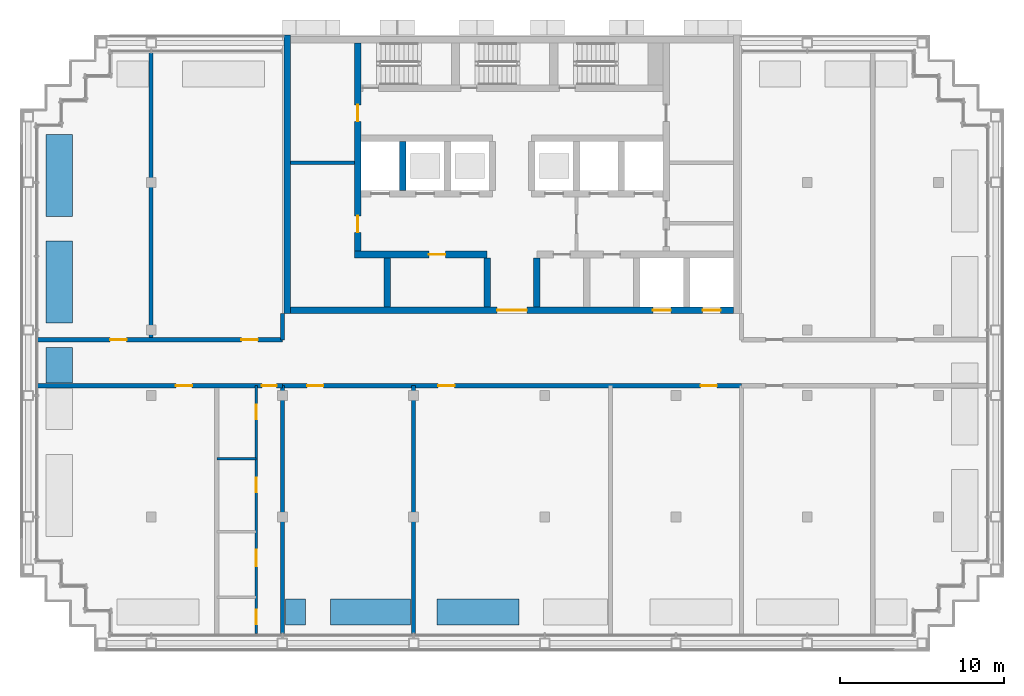
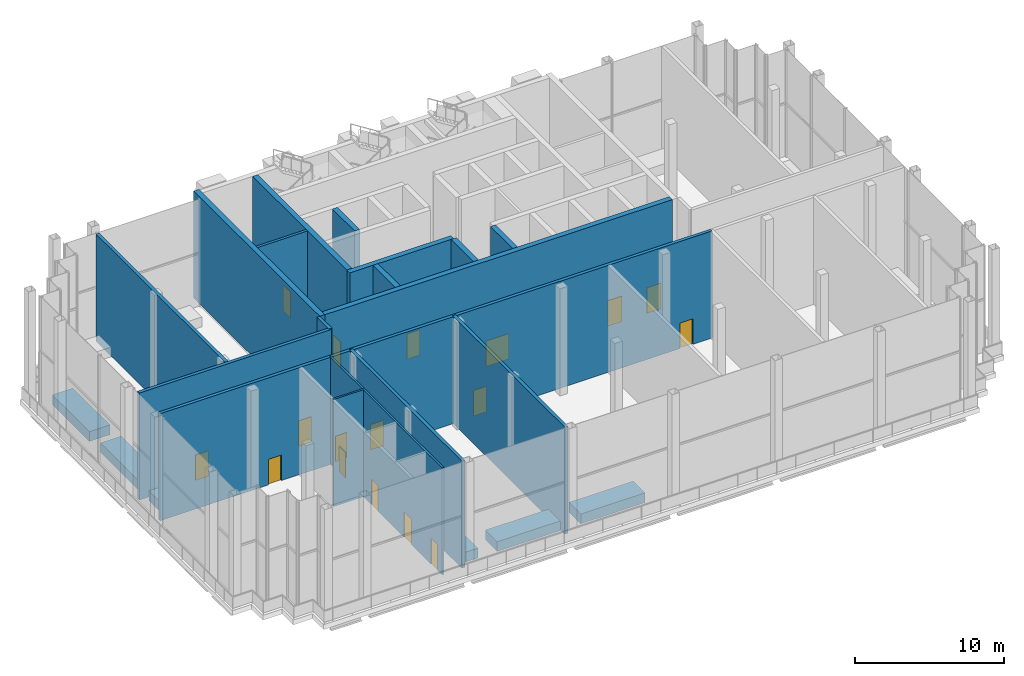
# One storey, part 8 of 15: 24 walls, 17 doors, 17 openings.
"""IFC4 building model written with IfcOpenShell, lengths in metres."""

from ifc_helpers import new_model, si_unit, direction, frame, frame_2d, origin, place, context, subcontext, project, spatial, rectangle, extrude, material, layer, layer_set, type_object, element, fill, save


model = new_model("IFC4")

# Units and contexts
model_context = context("Model", 3, precision=1e-05, world=origin(), true_north=direction((0.0, 1.0)))
body_context = subcontext(model_context, "Body", "Model", "MODEL_VIEW")
ifc_project = project(units=[si_unit("LENGTHUNIT", "METRE"), si_unit("AREAUNIT", "SQUARE_METRE"), si_unit("VOLUMEUNIT", "CUBIC_METRE"), si_unit("PLANEANGLEUNIT", "RADIAN"), si_unit("MASSUNIT", "GRAM", prefix="KILO")], contexts=[model_context])

# Site, building, storey
site_placement = place(None, origin())
site = spatial("IfcSite", under=ifc_project, at=site_placement, CompositionType="ELEMENT")
building_placement = place(site_placement, origin())
building = spatial("IfcBuilding", under=site, at=building_placement, Name="Vidyagriha Tower", CompositionType="ELEMENT")
storey_placement = place(building_placement, frame((0.0, 0.0, 239.60009765625)))
storey = spatial("IfcBuildingStorey", under=building, at=storey_placement, Name="L63", CompositionType="ELEMENT", Elevation=239.60009765625)

# Walls
ifc_material_1 = material(Name="Precast concrete C40/50 with brick facing", Category="concrete")
ifc_layer_1 = layer(ifc_material_1, 1.60009765625)
ifc_layer_set_1 = layer_set([ifc_layer_1], Name="Precast concrete C40/50 with brick facing")
wall_type_1 = type_object("IfcWallType", Name="Brick planter box 1600", PredefinedType="STANDARD", material=ifc_layer_set_1)
for number, where, z_axis, x_axis, name in (
    (1, (-27.60009765625, 13.919921875, 0.0), (0.0, 0.0, 1.0), (0.0, -1.0, 0.0), "PLANTER L63 5"),
    (2, (-27.60009765625, 7.419921875, 0.0), (0.0, 0.0, 1.0), (0.0, -1.0, 0.0), "PLANTER L63 6"),
):
    element("IfcWall", number, at=place(storey_placement, frame(where, z_axis=z_axis, x_axis=x_axis)), inside=storey, type_object=wall_type_1, Name=name, PredefinedType="STANDARD", context=body_context, shape_type="SweptSolid", body=[
        extrude(rectangle(XDim=5.0, YDim=1.60009765625, at=frame_2d((2.5, 0.0))), origin(), (0.0, 0.0, 1.0), 0.7998046875),
    ])
wall_1_placement = place(storey_placement, frame((-4.580078125, -15.199951171875, 0.0)))
element("IfcWall", 3, at=wall_1_placement, inside=storey, type_object=wall_type_1, Name="PLANTER L63 12", PredefinedType="STANDARD", context=body_context, shape_type="SweptSolid", body=[
    extrude(rectangle(XDim=5.0, YDim=1.60009765625, at=frame_2d((2.5, 0.0))), origin(), (0.0, 0.0, 1.0), 0.7998046875),
])
wall_2_placement = place(storey_placement, frame((-27.60009765625, 0.919921875, 0.0), z_axis=(0.0, 0.0, 1.0), x_axis=(0.0, -1.0, 0.0)))
element("IfcWall", 4, at=wall_2_placement, inside=storey, type_object=wall_type_1, Name="PLANTER L63 7", PredefinedType="STANDARD", context=body_context, shape_type="SweptSolid", body=[
    extrude(rectangle(XDim=2.14501953125, YDim=1.60009765625, at=frame_2d((1.072509765625, 0.0))), origin(), (0.0, 0.0, 1.0), 0.7998046875),
])
wall_3_placement = place(storey_placement, frame((-13.824951171875, -15.199951171875, 0.0)))
element("IfcWall", 5, at=wall_3_placement, inside=storey, type_object=wall_type_1, Name="PLANTER L63 10", PredefinedType="STANDARD", context=body_context, shape_type="SweptSolid", body=[
    extrude(rectangle(XDim=1.244873046875, YDim=1.60009765625, at=frame_2d((0.62255859375, 0.0))), origin(), (0.0, 0.0, 1.0), 0.7998046875),
])
wall_4_placement = place(storey_placement, frame((-11.080078125, -15.199951171875, 0.0)))
element("IfcWall", 6, at=wall_4_placement, inside=storey, type_object=wall_type_1, Name="PLANTER L63 11", PredefinedType="STANDARD", context=body_context, shape_type="SweptSolid", body=[
    extrude(rectangle(XDim=4.905029296875, YDim=1.60009765625, at=frame_2d((2.45263671875, 0.0))), origin(), (0.0, 0.0, 1.0), 0.7998046875),
])
ifc_material_2 = material(Name="Concrete C60/75", Category="concrete")
ifc_layer_2 = layer(ifc_material_2, 0.39990234375)
ifc_layer_set_2 = layer_set([ifc_layer_2], Name="Concrete C60/75")
wall_type_2 = type_object("IfcWallType", Name="Core shear wall 400 mm", PredefinedType="SHEAR", material=ifc_layer_set_2)
wall_5_placement = place(storey_placement, frame((-13.699951171875, 3.0, 0.0), z_axis=(0.0, 0.0, 1.0), x_axis=(0.0, 1.0, 0.0)))
element("IfcWall", 7, at=wall_5_placement, inside=storey, type_object=wall_type_2, Name="Core west wall", PredefinedType="SHEAR", context=body_context, shape_type="SweptSolid", body=[
    extrude(rectangle(XDim=17.0, YDim=0.39990234375, at=frame_2d((8.5, 0.0))), origin(), (0.0, 0.0, 1.0), 8.7998046875),
])

# Wall, openings, doors
wall_6_placement = place(storey_placement, frame((-9.39990234375, 6.800048828125, 0.0), z_axis=(0.0, 0.0, 1.0), x_axis=(0.0, 1.0, 0.0)))
wall_6 = element("IfcWall", 8, at=wall_6_placement, inside=storey, type_object=wall_type_2, Name="Core west spine wall", PredefinedType="SHEAR", context=body_context, shape_type="SweptSolid", body=[
    extrude(rectangle(XDim=12.699951171875, YDim=0.39990234375, at=frame_2d((6.35009765625, 0.0))), origin(), (0.0, 0.0, 1.0), 8.7998046875),
])
opening_1_placement = place(wall_6_placement, frame((1.14990234375, 0.0, 0.0)))
opening_1 = element("IfcOpeningElement", 9, at=opening_1_placement, cuts=wall_6, Name="Opening D63-09", PredefinedType="OPENING", context=body_context, shape_type="SweptSolid", body=[
    extrude(rectangle(XDim=1.0, YDim=2.10009765625, at=frame_2d((0.5, 1.050048828125))), frame((0.0, 0.2099609375, 0.0), z_axis=(0.0, -1.0, 0.0), x_axis=(1.0, 0.0, 0.0)), (0.0, 0.0, 1.0), 0.419921875),
])
opening_2_placement = place(wall_6_placement, frame((7.925048828125, 0.0, 0.0)))
opening_2 = element("IfcOpeningElement", 10, at=opening_2_placement, cuts=wall_6, Name="Opening D63-10", PredefinedType="OPENING", context=body_context, shape_type="SweptSolid", body=[
    extrude(rectangle(XDim=1.0, YDim=2.10009765625, at=frame_2d((0.5, 1.050048828125))), frame((0.0, 0.2099609375, 0.0), z_axis=(0.0, -1.0, 0.0), x_axis=(1.0, 0.0, 0.0)), (0.0, 0.0, 1.0), 0.419921875),
])
ifc_material_3 = material(Name="Hollow metal door leaf")
door_type_1 = type_object("IfcDoorType", Name="Core room door 1000 x 2100 mm EI 60", OperationType="NOTDEFINED", PredefinedType="DOOR", material=ifc_material_3)
door_1_placement = place(opening_1_placement, frame((1.0, 0.0, 0.0), z_axis=(0.0, 0.0, 1.0), x_axis=(-1.0, 0.0, 0.0)))
door_1 = element("IfcDoor", 11, at=door_1_placement, inside=storey, type_object=door_type_1, Name="Door Cleaners Store 63.W1", OperationType="SINGLE_SWING_RIGHT", OverallHeight=2.10009765625, OverallWidth=1.0, PredefinedType="DOOR", context=body_context, shape_type="SweptSolid", body=[
    extrude(rectangle(XDim=1.0, YDim=2.10009765625, at=frame_2d((0.5, 1.050048828125))), frame((0.0, 0.02490234375, 0.0), z_axis=(0.0, -1.0, 0.0), x_axis=(1.0, 0.0, 0.0)), (0.0, 0.0, 1.0), 0.050048828125),
])
fill(opening_1, door_1)
door_2_placement = place(opening_2_placement, frame((1.0, 0.0, 0.0), z_axis=(0.0, 0.0, 1.0), x_axis=(-1.0, 0.0, 0.0)))
door_2 = element("IfcDoor", 12, at=door_2_placement, inside=storey, type_object=door_type_1, Name="Door Pressurisation Plant Room 63.W2", OperationType="SINGLE_SWING_LEFT", OverallHeight=2.10009765625, OverallWidth=1.0, PredefinedType="DOOR", context=body_context, shape_type="SweptSolid", body=[
    extrude(rectangle(XDim=1.0, YDim=2.10009765625, at=frame_2d((0.5, 1.050048828125))), frame((0.0, 0.02490234375, 0.0), z_axis=(0.0, -1.0, 0.0), x_axis=(1.0, 0.0, 0.0)), (0.0, 0.0, 1.0), 0.050048828125),
])
fill(opening_2, door_2)

wall_7_placement = place(storey_placement, frame((-13.5, 3.199951171875, 0.0)))
wall_7 = element("IfcWall", 13, at=wall_7_placement, inside=storey, type_object=wall_type_2, Name="Core front wall", PredefinedType="SHEAR", context=body_context, shape_type="SweptSolid", body=[
    extrude(rectangle(XDim=27.0, YDim=0.39990234375, at=frame_2d((13.5, 0.0))), origin(), (0.0, 0.0, 1.0), 8.7998046875),
])
opening_3_placement = place(wall_7_placement, frame((22.083251953125, 0.0, 0.0)))
opening_3 = element("IfcOpeningElement", 14, at=opening_3_placement, cuts=wall_7, Name="Opening LD63-01", PredefinedType="OPENING", context=body_context, shape_type="SweptSolid", body=[
    extrude(rectangle(XDim=1.10009765625, YDim=2.10009765625, at=frame_2d((0.550048828125, 1.050048828125))), frame((0.0, 0.2099609375, 0.0), z_axis=(0.0, -1.0, 0.0), x_axis=(1.0, 0.0, 0.0)), (0.0, 0.0, 1.0), 0.419921875),
])
opening_4_placement = place(wall_7_placement, frame((25.127685546875, 0.0, 0.0)))
opening_4 = element("IfcOpeningElement", 15, at=opening_4_placement, cuts=wall_7, Name="Opening LD63-02", PredefinedType="OPENING", context=body_context, shape_type="SweptSolid", body=[
    extrude(rectangle(XDim=1.10009765625, YDim=2.10009765625, at=frame_2d((0.550048828125, 1.050048828125))), frame((0.0, 0.2099609375, 0.0), z_axis=(0.0, -1.0, 0.0), x_axis=(1.0, 0.0, 0.0)), (0.0, 0.0, 1.0), 0.419921875),
])
opening_5_placement = place(wall_7_placement, frame((12.60009765625, 0.0, 0.0)))
opening_5 = element("IfcOpeningElement", 16, at=opening_5_placement, cuts=wall_7, Name="Opening D63-01", PredefinedType="OPENING", context=body_context, shape_type="SweptSolid", body=[
    extrude(rectangle(XDim=1.800048828125, YDim=2.10009765625, at=frame_2d((0.89990234375, 1.050048828125))), frame((0.0, 0.2099609375, 0.0), z_axis=(0.0, -1.0, 0.0), x_axis=(1.0, 0.0, 0.0)), (0.0, 0.0, 1.0), 0.419921875),
])
ifc_material_4 = material(Name="Hollow metal door leaf")
door_type_2 = type_object("IfcDoorType", Name="Core lobby double door 1800 x 2100 mm EI 60", OperationType="NOTDEFINED", PredefinedType="DOOR", material=ifc_material_4)
door_3_placement = place(opening_5_placement, frame((1.800048828125, 0.0, 0.0), z_axis=(0.0, 0.0, 1.0), x_axis=(-1.0, 0.0, 0.0)))
door_3 = element("IfcDoor", 17, at=door_3_placement, inside=storey, type_object=door_type_2, Name="Core entrance door L63", OperationType="DOUBLE_DOOR_SINGLE_SWING", OverallHeight=2.10009765625, OverallWidth=1.800048828125, PredefinedType="DOOR", context=body_context, shape_type="SweptSolid", body=[
    extrude(rectangle(XDim=1.800048828125, YDim=2.10009765625, at=frame_2d((0.89990234375, 1.050048828125))), frame((0.0, 0.02490234375, 0.0), z_axis=(0.0, -1.0, 0.0), x_axis=(1.0, 0.0, 0.0)), (0.0, 0.0, 1.0), 0.050048828125),
])
fill(opening_5, door_3)
ifc_material_5 = material(Name="Stainless steel sliding door panel", Category="steel")
door_type_3 = type_object("IfcDoorType", Name="Lift landing door 1100 x 2100 mm EI 90", OperationType="NOTDEFINED", PredefinedType="DOOR", material=ifc_material_5)
door_4_placement = place(opening_3_placement, origin())
door_4 = element("IfcDoor", 18, at=door_4_placement, inside=storey, type_object=door_type_3, Name="Landing door MR1 L63", OperationType="SLIDING_TO_LEFT", OverallHeight=2.10009765625, OverallWidth=1.10009765625, PredefinedType="DOOR", context=body_context, shape_type="SweptSolid", body=[
    extrude(rectangle(XDim=1.10009765625, YDim=2.10009765625, at=frame_2d((0.550048828125, 1.050048828125))), frame((0.0, 0.02490234375, 0.0), z_axis=(0.0, -1.0, 0.0), x_axis=(1.0, 0.0, 0.0)), (0.0, 0.0, 1.0), 0.050048828125),
])
fill(opening_3, door_4)
door_5_placement = place(opening_4_placement, origin())
door_5 = element("IfcDoor", 19, at=door_5_placement, inside=storey, type_object=door_type_3, Name="Landing door MR2 L63", OperationType="SLIDING_TO_LEFT", OverallHeight=2.10009765625, OverallWidth=1.10009765625, PredefinedType="DOOR", context=body_context, shape_type="SweptSolid", body=[
    extrude(rectangle(XDim=1.10009765625, YDim=2.10009765625, at=frame_2d((0.550048828125, 1.050048828125))), frame((0.0, 0.02490234375, 0.0), z_axis=(0.0, -1.0, 0.0), x_axis=(1.0, 0.0, 0.0)), (0.0, 0.0, 1.0), 0.050048828125),
])
fill(opening_4, door_5)

# Wall, opening, door
wall_8_placement = place(storey_placement, frame((-9.60009765625, 6.60009765625, 0.0)))
wall_8 = element("IfcWall", 20, at=wall_8_placement, inside=storey, type_object=wall_type_2, Name="Core lobby south wall west", PredefinedType="SHEAR", context=body_context, shape_type="SweptSolid", body=[
    extrude(rectangle(XDim=8.077880859375, YDim=0.39990234375, at=frame_2d((4.0390625, 0.0))), origin(), (0.0, 0.0, 1.0), 8.7998046875),
])
opening_6_placement = place(wall_8_placement, frame((4.533203125, 0.0, 0.0)))
opening_6 = element("IfcOpeningElement", 21, at=opening_6_placement, cuts=wall_8, Name="Opening D63-02", PredefinedType="OPENING", context=body_context, shape_type="SweptSolid", body=[
    extrude(rectangle(XDim=1.0, YDim=2.10009765625, at=frame_2d((0.5, 1.050048828125))), frame((0.0, 0.2099609375, 0.0), z_axis=(0.0, -1.0, 0.0), x_axis=(1.0, 0.0, 0.0)), (0.0, 0.0, 1.0), 0.419921875),
])
door_6_placement = place(opening_6_placement, origin())
door_6 = element("IfcDoor", 22, at=door_6_placement, inside=storey, type_object=door_type_1, Name="Door Cleaners Store 63.01", OperationType="SINGLE_SWING_RIGHT", OverallHeight=2.10009765625, OverallWidth=1.0, PredefinedType="DOOR", context=body_context, shape_type="SweptSolid", body=[
    extrude(rectangle(XDim=1.0, YDim=2.10009765625, at=frame_2d((0.5, 1.050048828125))), frame((0.0, 0.02490234375, 0.0), z_axis=(0.0, -1.0, 0.0), x_axis=(1.0, 0.0, 0.0)), (0.0, 0.0, 1.0), 0.050048828125),
])
fill(opening_6, door_6)

# Walls
for number, where, z_axis, x_axis, name in (
    (23, (-7.611083984375, 3.39990234375, 0.0), (0.0, 0.0, 1.0), (0.0, 1.0, 0.0), "Core bay wall S2"),
    (24, (-1.522216796875, 3.39990234375, 0.0), (0.0, 0.0, 1.0), (0.0, 1.0, 0.0), "Core bay wall S4"),
    (25, (1.522216796875, 3.39990234375, 0.0), (0.0, 0.0, 1.0), (0.0, 1.0, 0.0), "Core bay wall S5"),
    (26, (-6.666748046875, 10.5, 0.0), (0.0, 0.0, 1.0), (0.0, 1.0, 0.0), "Core bay wall N1"),
):
    element("IfcWall", number, at=place(storey_placement, frame(where, z_axis=z_axis, x_axis=x_axis)), inside=storey, type_object=wall_type_2, Name=name, PredefinedType="SHEAR", context=body_context, shape_type="SweptSolid", body=[
        extrude(rectangle(XDim=3.0, YDim=0.39990234375, at=frame_2d((1.5, 0.0))), origin(), (0.0, 0.0, 1.0), 8.7998046875),
    ])

# Wall, openings, doors
ifc_material_6 = material(Name="Fired clay brick masonry", Category="masonry")
ifc_layer_3 = layer(ifc_material_6, 0.25)
ifc_layer_set_3 = layer_set([ifc_layer_3], Name="Fired clay brick masonry")
wall_type_3 = type_object("IfcWallType", Name="Fired clay brick corridor wall 250", PredefinedType="PARTITIONING", material=ifc_layer_set_3)
wall_9_placement = place(storey_placement, frame((-14.0, -1.39990234375, 0.0), z_axis=(0.0, 0.0, 1.0), x_axis=(-1.0, 0.0, 0.0)))
wall_9 = element("IfcWall", 27, at=wall_9_placement, inside=storey, type_object=wall_type_3, Name="Wall all-L63-w001", PredefinedType="PARTITIONING", context=body_context, shape_type="SweptSolid", body=[
    extrude(rectangle(XDim=14.929931640625, YDim=0.25, at=frame_2d((7.46484375, 0.0))), origin(), (0.0, 0.0, 1.0), 8.7998046875),
])
opening_7_placement = place(wall_9_placement, frame((0.35009765625, 0.0, 0.0)))
opening_7 = element("IfcOpeningElement", 28, at=opening_7_placement, cuts=wall_9, Name="Opening D63-18", PredefinedType="OPENING", context=body_context, shape_type="SweptSolid", body=[
    extrude(rectangle(XDim=0.89990234375, YDim=2.10009765625, at=frame_2d((0.449951171875, 1.050048828125))), frame((0.0, 0.135009765625, 0.0), z_axis=(0.0, -1.0, 0.0), x_axis=(1.0, 0.0, 0.0)), (0.0, 0.0, 1.0), 0.27001953125),
])
opening_8_placement = place(wall_9_placement, frame((5.5, 0.0, 0.0)))
opening_8 = element("IfcOpeningElement", 29, at=opening_8_placement, cuts=wall_9, Name="Opening D63-19", PredefinedType="OPENING", context=body_context, shape_type="SweptSolid", body=[
    extrude(rectangle(XDim=1.0, YDim=2.10009765625, at=frame_2d((0.5, 1.050048828125))), frame((0.0, 0.135009765625, 0.0), z_axis=(0.0, -1.0, 0.0), x_axis=(1.0, 0.0, 0.0)), (0.0, 0.0, 1.0), 0.27001953125),
])
ifc_material_7 = material(Name="Fire-rated timber door leaf EI 60", Category="wood")
door_type_4 = type_object("IfcDoorType", Name="Flat entrance fire door 1000x2100", OperationType="NOTDEFINED", PredefinedType="DOOR", material=ifc_material_7)
door_7_placement = place(opening_8_placement, origin())
door_7 = element("IfcDoor", 30, at=door_7_placement, inside=storey, type_object=door_type_4, Name="Door D63-19", OperationType="SINGLE_SWING_LEFT", OverallHeight=2.10009765625, OverallWidth=1.0, PredefinedType="DOOR", context=body_context, shape_type="SweptSolid", body=[
    extrude(rectangle(XDim=1.0, YDim=2.10009765625, at=frame_2d((0.5, 1.050048828125))), frame((0.0, 0.02490234375, 0.0), z_axis=(0.0, -1.0, 0.0), x_axis=(1.0, 0.0, 0.0)), (0.0, 0.0, 1.0), 0.050048828125),
])
fill(opening_8, door_7)
ifc_material_8 = material(Name="Fire-rated timber door leaf EI 60", Category="wood")
door_type_5 = type_object("IfcDoorType", Name="Flat entrance fire door 900x2100", OperationType="NOTDEFINED", PredefinedType="DOOR", material=ifc_material_8)
door_8_placement = place(opening_7_placement, origin())
door_8 = element("IfcDoor", 31, at=door_8_placement, inside=storey, type_object=door_type_5, Name="Door D63-18", OperationType="SINGLE_SWING_RIGHT", OverallHeight=2.10009765625, OverallWidth=0.89990234375, PredefinedType="DOOR", context=body_context, shape_type="SweptSolid", body=[
    extrude(rectangle(XDim=0.89990234375, YDim=2.10009765625, at=frame_2d((0.449951171875, 1.050048828125))), frame((0.0, 0.02490234375, 0.0), z_axis=(0.0, -1.0, 0.0), x_axis=(1.0, 0.0, 0.0)), (0.0, 0.0, 1.0), 0.050048828125),
])
fill(opening_7, door_8)

wall_10_placement = place(storey_placement, frame((-28.929931640625, 1.39990234375, 0.0)))
wall_10 = element("IfcWall", 32, at=wall_10_placement, inside=storey, type_object=wall_type_3, Name="Wall all-L63-w016", PredefinedType="PARTITIONING", context=body_context, shape_type="SweptSolid", body=[
    extrude(rectangle(XDim=14.929931640625, YDim=0.25, at=frame_2d((7.46484375, 0.0))), origin(), (0.0, 0.0, 1.0), 8.7998046875),
])
opening_9_placement = place(wall_10_placement, frame((12.429931640625, 0.0, 0.0)))
opening_9 = element("IfcOpeningElement", 33, at=opening_9_placement, cuts=wall_10, Name="Opening D63-20", PredefinedType="OPENING", context=body_context, shape_type="SweptSolid", body=[
    extrude(rectangle(XDim=1.0, YDim=2.10009765625, at=frame_2d((0.5, 1.050048828125))), frame((0.0, 0.135009765625, 0.0), z_axis=(0.0, -1.0, 0.0), x_axis=(1.0, 0.0, 0.0)), (0.0, 0.0, 1.0), 0.27001953125),
])
opening_10_placement = place(wall_10_placement, frame((4.429931640625, 0.0, 0.0)))
opening_10 = element("IfcOpeningElement", 34, at=opening_10_placement, cuts=wall_10, Name="Opening D63-21", PredefinedType="OPENING", context=body_context, shape_type="SweptSolid", body=[
    extrude(rectangle(XDim=1.0, YDim=2.10009765625, at=frame_2d((0.5, 1.050048828125))), frame((0.0, 0.135009765625, 0.0), z_axis=(0.0, -1.0, 0.0), x_axis=(1.0, 0.0, 0.0)), (0.0, 0.0, 1.0), 0.27001953125),
])
door_9_placement = place(opening_9_placement, origin())
door_9 = element("IfcDoor", 35, at=door_9_placement, inside=storey, type_object=door_type_4, Name="Door D63-20", OperationType="SINGLE_SWING_RIGHT", OverallHeight=2.10009765625, OverallWidth=1.0, PredefinedType="DOOR", context=body_context, shape_type="SweptSolid", body=[
    extrude(rectangle(XDim=1.0, YDim=2.10009765625, at=frame_2d((0.5, 1.050048828125))), frame((0.0, 0.02490234375, 0.0), z_axis=(0.0, -1.0, 0.0), x_axis=(1.0, 0.0, 0.0)), (0.0, 0.0, 1.0), 0.050048828125),
])
fill(opening_9, door_9)
door_10_placement = place(opening_10_placement, origin())
door_10 = element("IfcDoor", 36, at=door_10_placement, inside=storey, type_object=door_type_4, Name="Door D63-21", OperationType="SINGLE_SWING_RIGHT", OverallHeight=2.10009765625, OverallWidth=1.0, PredefinedType="DOOR", context=body_context, shape_type="SweptSolid", body=[
    extrude(rectangle(XDim=1.0, YDim=2.10009765625, at=frame_2d((0.5, 1.050048828125))), frame((0.0, 0.02490234375, 0.0), z_axis=(0.0, -1.0, 0.0), x_axis=(1.0, 0.0, 0.0)), (0.0, 0.0, 1.0), 0.050048828125),
])
fill(opening_10, door_10)

wall_11_placement = place(storey_placement, frame((14.0, -1.39990234375, 0.0), z_axis=(0.0, 0.0, 1.0), x_axis=(-1.0, 0.0, 0.0)))
wall_11 = element("IfcWall", 37, at=wall_11_placement, inside=storey, type_object=wall_type_3, Name="Wall all-L63-w038", PredefinedType="PARTITIONING", context=body_context, shape_type="SweptSolid", body=[
    extrude(rectangle(XDim=28.0, YDim=0.25, at=frame_2d((14.0, 0.0))), origin(), (0.0, 0.0, 1.0), 8.7998046875),
])
opening_11_placement = place(wall_11_placement, frame((25.5, 0.0, 0.0)))
opening_11 = element("IfcOpeningElement", 38, at=opening_11_placement, cuts=wall_11, Name="Opening D63-26", PredefinedType="OPENING", context=body_context, shape_type="SweptSolid", body=[
    extrude(rectangle(XDim=1.0, YDim=2.10009765625, at=frame_2d((0.5, 1.050048828125))), frame((0.0, 0.135009765625, 0.0), z_axis=(0.0, -1.0, 0.0), x_axis=(1.0, 0.0, 0.0)), (0.0, 0.0, 1.0), 0.27001953125),
])
opening_12_placement = place(wall_11_placement, frame((17.5, 0.0, 0.0)))
opening_12 = element("IfcOpeningElement", 39, at=opening_12_placement, cuts=wall_11, Name="Opening D63-27", PredefinedType="OPENING", context=body_context, shape_type="SweptSolid", body=[
    extrude(rectangle(XDim=1.0, YDim=2.10009765625, at=frame_2d((0.5, 1.050048828125))), frame((0.0, 0.135009765625, 0.0), z_axis=(0.0, -1.0, 0.0), x_axis=(1.0, 0.0, 0.0)), (0.0, 0.0, 1.0), 0.27001953125),
])
opening_13_placement = place(wall_11_placement, frame((1.5, 0.0, 0.0)))
opening_13 = element("IfcOpeningElement", 40, at=opening_13_placement, cuts=wall_11, Name="Opening D63-28", PredefinedType="OPENING", context=body_context, shape_type="SweptSolid", body=[
    extrude(rectangle(XDim=1.0, YDim=2.10009765625, at=frame_2d((0.5, 1.050048828125))), frame((0.0, 0.135009765625, 0.0), z_axis=(0.0, -1.0, 0.0), x_axis=(1.0, 0.0, 0.0)), (0.0, 0.0, 1.0), 0.27001953125),
])
door_11_placement = place(opening_11_placement, origin())
door_11 = element("IfcDoor", 41, at=door_11_placement, inside=storey, type_object=door_type_4, Name="Door D63-26", OperationType="SINGLE_SWING_RIGHT", OverallHeight=2.10009765625, OverallWidth=1.0, PredefinedType="DOOR", context=body_context, shape_type="SweptSolid", body=[
    extrude(rectangle(XDim=1.0, YDim=2.10009765625, at=frame_2d((0.5, 1.050048828125))), frame((0.0, 0.02490234375, 0.0), z_axis=(0.0, -1.0, 0.0), x_axis=(1.0, 0.0, 0.0)), (0.0, 0.0, 1.0), 0.050048828125),
])
fill(opening_11, door_11)
door_12_placement = place(opening_12_placement, origin())
door_12 = element("IfcDoor", 42, at=door_12_placement, inside=storey, type_object=door_type_4, Name="Door D63-27", OperationType="SINGLE_SWING_RIGHT", OverallHeight=2.10009765625, OverallWidth=1.0, PredefinedType="DOOR", context=body_context, shape_type="SweptSolid", body=[
    extrude(rectangle(XDim=1.0, YDim=2.10009765625, at=frame_2d((0.5, 1.050048828125))), frame((0.0, 0.02490234375, 0.0), z_axis=(0.0, -1.0, 0.0), x_axis=(1.0, 0.0, 0.0)), (0.0, 0.0, 1.0), 0.050048828125),
])
fill(opening_12, door_12)
door_13_placement = place(opening_13_placement, origin())
door_13 = element("IfcDoor", 43, at=door_13_placement, inside=storey, type_object=door_type_4, Name="Door D63-28", OperationType="SINGLE_SWING_LEFT", OverallHeight=2.10009765625, OverallWidth=1.0, PredefinedType="DOOR", context=body_context, shape_type="SweptSolid", body=[
    extrude(rectangle(XDim=1.0, YDim=2.10009765625, at=frame_2d((0.5, 1.050048828125))), frame((0.0, 0.02490234375, 0.0), z_axis=(0.0, -1.0, 0.0), x_axis=(1.0, 0.0, 0.0)), (0.0, 0.0, 1.0), 0.050048828125),
])
fill(opening_13, door_13)

# Walls
wall_12_placement = place(storey_placement, frame((-14.0, 3.0, 0.0), z_axis=(0.0, 0.0, 1.0), x_axis=(0.0, -1.0, 0.0)))
element("IfcWall", 44, at=wall_12_placement, inside=storey, type_object=wall_type_3, Name="Wall all-L63-w039", PredefinedType="PARTITIONING", context=body_context, shape_type="SweptSolid", body=[
    extrude(rectangle(XDim=1.60009765625, YDim=0.25, at=frame_2d((0.800048828125, 0.0))), origin(), (0.0, 0.0, 1.0), 8.7998046875),
])
ifc_material_9 = material(Name="Fired clay brick masonry", Category="masonry")
ifc_layer_4 = layer(ifc_material_9, 0.25)
ifc_layer_set_4 = layer_set([ifc_layer_4], Name="Fired clay brick masonry")
wall_type_4 = type_object("IfcWallType", Name="Fired clay brick demising wall 250", PredefinedType="PARTITIONING", material=ifc_layer_set_4)
wall_13_placement = place(storey_placement, frame((-14.0, -1.39990234375, 0.0), z_axis=(0.0, 0.0, 1.0), x_axis=(0.0, -1.0, 0.0)))
element("IfcWall", 45, at=wall_13_placement, inside=storey, type_object=wall_type_4, Name="Wall all-L63-w015", PredefinedType="PARTITIONING", context=body_context, shape_type="SweptSolid", body=[
    extrude(rectangle(XDim=15.12109375, YDim=0.25, at=frame_2d((7.560546875, 0.0))), origin(), (0.0, 0.0, 1.0), 8.7998046875),
])
wall_14_placement = place(storey_placement, frame((-22.0, 18.9208984375, 0.0), z_axis=(0.0, 0.0, 1.0), x_axis=(0.0, -1.0, 0.0)))
element("IfcWall", 46, at=wall_14_placement, inside=storey, type_object=wall_type_4, Name="Wall all-L63-w020", PredefinedType="PARTITIONING", context=body_context, shape_type="SweptSolid", body=[
    extrude(rectangle(XDim=17.52099609375, YDim=0.25, at=frame_2d((8.760498046875, 0.0))), origin(), (0.0, 0.0, 1.0), 8.7998046875),
])
wall_15_placement = place(storey_placement, frame((-6.0, -1.39990234375, 0.0), z_axis=(0.0, 0.0, 1.0), x_axis=(0.0, -1.0, 0.0)))
element("IfcWall", 47, at=wall_15_placement, inside=storey, type_object=wall_type_4, Name="Wall all-L63-w036", PredefinedType="PARTITIONING", context=body_context, shape_type="SweptSolid", body=[
    extrude(rectangle(XDim=15.12109375, YDim=0.25, at=frame_2d((7.560546875, 0.0))), origin(), (0.0, 0.0, 1.0), 8.7998046875),
])
ifc_material_10 = material(Name="Gypsum board partition")
ifc_layer_5 = layer(ifc_material_10, 0.14990234375)
ifc_layer_set_5 = layer_set([ifc_layer_5], Name="Gypsum board partition")
wall_type_5 = type_object("IfcWallType", Name="Gypsum board partition 150", PredefinedType="PARTITIONING", material=ifc_layer_set_5)
wall_16_placement = place(storey_placement, frame((-15.60009765625, -5.85009765625, 0.0), z_axis=(0.0, 0.0, 1.0), x_axis=(-1.0, 0.0, 0.0)))
element("IfcWall", 48, at=wall_16_placement, inside=storey, type_object=wall_type_5, Name="Wall all-L63-w006", PredefinedType="PARTITIONING", context=body_context, shape_type="SweptSolid", body=[
    extrude(rectangle(XDim=2.39990234375, YDim=0.14990234375, at=frame_2d((1.199951171875, 0.0))), origin(), (0.0, 0.0, 1.0), 8.7998046875),
])

# Wall, openings, doors
ifc_material_11 = material(Name="Moisture resistant gypsum board partition")
ifc_layer_6 = layer(ifc_material_11, 0.14990234375)
ifc_layer_set_6 = layer_set([ifc_layer_6], Name="Moisture resistant gypsum board partition")
wall_type_6 = type_object("IfcWallType", Name="Gypsum board wet-area partition 150", PredefinedType="PARTITIONING", material=ifc_layer_set_6)
wall_17_placement = place(storey_placement, frame((-15.60009765625, -16.52099609375, 0.0), z_axis=(0.0, 0.0, 1.0), x_axis=(0.0, 1.0, 0.0)))
wall_17 = element("IfcWall", 49, at=wall_17_placement, inside=storey, type_object=wall_type_6, Name="Wall all-L63-w004", PredefinedType="PARTITIONING", context=body_context, shape_type="SweptSolid", body=[
    extrude(rectangle(XDim=15.12109375, YDim=0.14990234375, at=frame_2d((7.560546875, 0.0))), origin(), (0.0, 0.0, 1.0), 8.7998046875),
])
opening_14_placement = place(wall_17_placement, frame((13.071044921875, 0.0, 0.0)))
opening_14 = element("IfcOpeningElement", 50, at=opening_14_placement, cuts=wall_17, Name="Opening D63-14", PredefinedType="OPENING", context=body_context, shape_type="SweptSolid", body=[
    extrude(rectangle(XDim=0.89990234375, YDim=2.10009765625, at=frame_2d((0.449951171875, 1.050048828125))), frame((0.0, 0.0849609375, 0.0), z_axis=(0.0, -1.0, 0.0), x_axis=(1.0, 0.0, 0.0)), (0.0, 0.0, 1.0), 0.169921875),
])
opening_15_placement = place(wall_17_placement, frame((8.62109375, 0.0, 0.0)))
opening_15 = element("IfcOpeningElement", 51, at=opening_15_placement, cuts=wall_17, Name="Opening D63-15", PredefinedType="OPENING", context=body_context, shape_type="SweptSolid", body=[
    extrude(rectangle(XDim=0.89990234375, YDim=2.10009765625, at=frame_2d((0.449951171875, 1.050048828125))), frame((0.0, 0.0849609375, 0.0), z_axis=(0.0, -1.0, 0.0), x_axis=(1.0, 0.0, 0.0)), (0.0, 0.0, 1.0), 0.169921875),
])
opening_16_placement = place(wall_17_placement, frame((4.12109375, 0.0, 0.0)))
opening_16 = element("IfcOpeningElement", 52, at=opening_16_placement, cuts=wall_17, Name="Opening D63-16", PredefinedType="OPENING", context=body_context, shape_type="SweptSolid", body=[
    extrude(rectangle(XDim=1.0, YDim=2.10009765625, at=frame_2d((0.5, 1.050048828125))), frame((0.0, 0.0849609375, 0.0), z_axis=(0.0, -1.0, 0.0), x_axis=(1.0, 0.0, 0.0)), (0.0, 0.0, 1.0), 0.169921875),
])
opening_17_placement = place(wall_17_placement, frame((0.571044921875, 0.0, 0.0)))
opening_17 = element("IfcOpeningElement", 53, at=opening_17_placement, cuts=wall_17, Name="Opening D63-17", PredefinedType="OPENING", context=body_context, shape_type="SweptSolid", body=[
    extrude(rectangle(XDim=0.89990234375, YDim=2.10009765625, at=frame_2d((0.449951171875, 1.050048828125))), frame((0.0, 0.0849609375, 0.0), z_axis=(0.0, -1.0, 0.0), x_axis=(1.0, 0.0, 0.0)), (0.0, 0.0, 1.0), 0.169921875),
])
ifc_material_12 = material(Name="Timber door leaf", Category="wood")
door_type_6 = type_object("IfcDoorType", Name="Bathroom door 1000x2100", OperationType="NOTDEFINED", PredefinedType="DOOR", material=ifc_material_12)
door_14_placement = place(opening_16_placement, origin())
door_14 = element("IfcDoor", 54, at=door_14_placement, inside=storey, type_object=door_type_6, Name="Door D63-16", OperationType="SINGLE_SWING_RIGHT", OverallHeight=2.10009765625, OverallWidth=1.0, PredefinedType="DOOR", context=body_context, shape_type="SweptSolid", body=[
    extrude(rectangle(XDim=1.0, YDim=2.10009765625, at=frame_2d((0.5, 1.050048828125))), frame((0.0, 0.02490234375, 0.0), z_axis=(0.0, -1.0, 0.0), x_axis=(1.0, 0.0, 0.0)), (0.0, 0.0, 1.0), 0.050048828125),
])
fill(opening_16, door_14)
ifc_material_13 = material(Name="Timber door leaf", Category="wood")
door_type_7 = type_object("IfcDoorType", Name="Bathroom door 900x2100", OperationType="NOTDEFINED", PredefinedType="DOOR", material=ifc_material_13)
door_15_placement = place(opening_14_placement, origin())
door_15 = element("IfcDoor", 55, at=door_15_placement, inside=storey, type_object=door_type_7, Name="Door D63-14", OperationType="SINGLE_SWING_RIGHT", OverallHeight=2.10009765625, OverallWidth=0.89990234375, PredefinedType="DOOR", context=body_context, shape_type="SweptSolid", body=[
    extrude(rectangle(XDim=0.89990234375, YDim=2.10009765625, at=frame_2d((0.449951171875, 1.050048828125))), frame((0.0, 0.02490234375, 0.0), z_axis=(0.0, -1.0, 0.0), x_axis=(1.0, 0.0, 0.0)), (0.0, 0.0, 1.0), 0.050048828125),
])
fill(opening_14, door_15)
door_16_placement = place(opening_15_placement, origin())
door_16 = element("IfcDoor", 56, at=door_16_placement, inside=storey, type_object=door_type_7, Name="Door D63-15", OperationType="SINGLE_SWING_RIGHT", OverallHeight=2.10009765625, OverallWidth=0.89990234375, PredefinedType="DOOR", context=body_context, shape_type="SweptSolid", body=[
    extrude(rectangle(XDim=0.89990234375, YDim=2.10009765625, at=frame_2d((0.449951171875, 1.050048828125))), frame((0.0, 0.02490234375, 0.0), z_axis=(0.0, -1.0, 0.0), x_axis=(1.0, 0.0, 0.0)), (0.0, 0.0, 1.0), 0.050048828125),
])
fill(opening_15, door_16)
door_17_placement = place(opening_17_placement, origin())
door_17 = element("IfcDoor", 57, at=door_17_placement, inside=storey, type_object=door_type_7, Name="Door D63-17", OperationType="SINGLE_SWING_LEFT", OverallHeight=2.10009765625, OverallWidth=0.89990234375, PredefinedType="DOOR", context=body_context, shape_type="SweptSolid", body=[
    extrude(rectangle(XDim=0.89990234375, YDim=2.10009765625, at=frame_2d((0.449951171875, 1.050048828125))), frame((0.0, 0.02490234375, 0.0), z_axis=(0.0, -1.0, 0.0), x_axis=(1.0, 0.0, 0.0)), (0.0, 0.0, 1.0), 0.050048828125),
])
fill(opening_17, door_17)

# Wall
ifc_material_14 = material(Name="Blockwork 15 MPa", Category="masonry")
ifc_layer_7 = layer(ifc_material_14, 0.199951171875)
ifc_layer_set_7 = layer_set([ifc_layer_7], Name="Blockwork 15 MPa")
wall_type_7 = type_object("IfcWallType", Name="Service room partition 200 mm", PredefinedType="PARTITIONING", material=ifc_layer_set_7)
wall_18_placement = place(storey_placement, frame((-13.5, 12.199951171875, 0.0)))
element("IfcWall", 58, at=wall_18_placement, inside=storey, type_object=wall_type_7, Name="Core room partition W1", PredefinedType="PARTITIONING", context=body_context, shape_type="SweptSolid", body=[
    extrude(rectangle(XDim=3.89990234375, YDim=0.199951171875, at=frame_2d((1.949951171875, 0.0))), origin(), (0.0, 0.0, 1.0), 8.7998046875),
])

save(model, "model.ifc")
